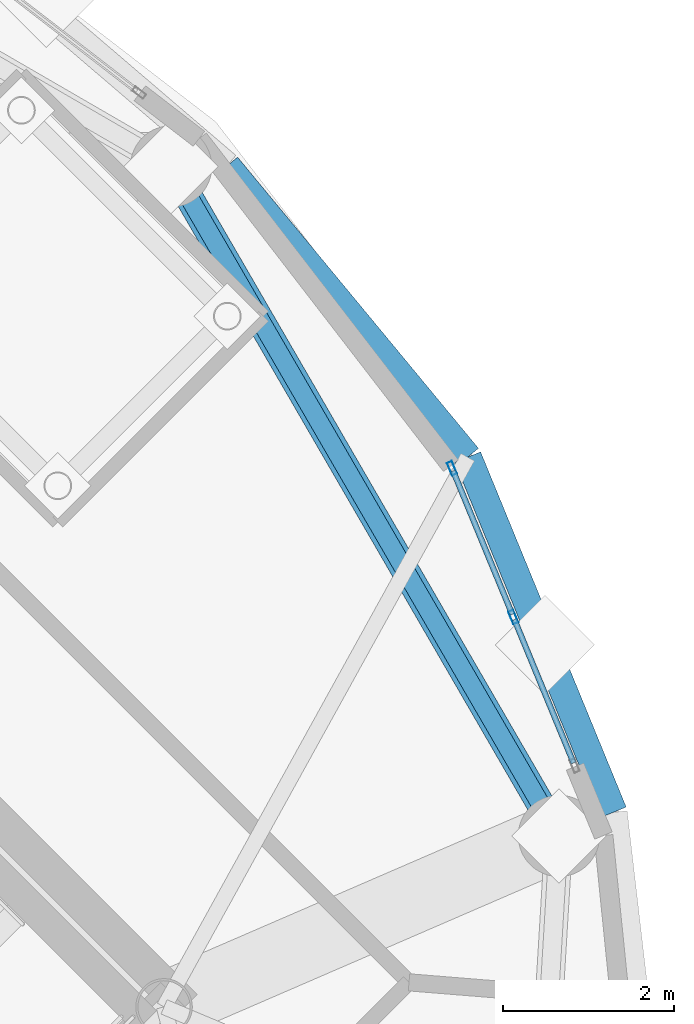
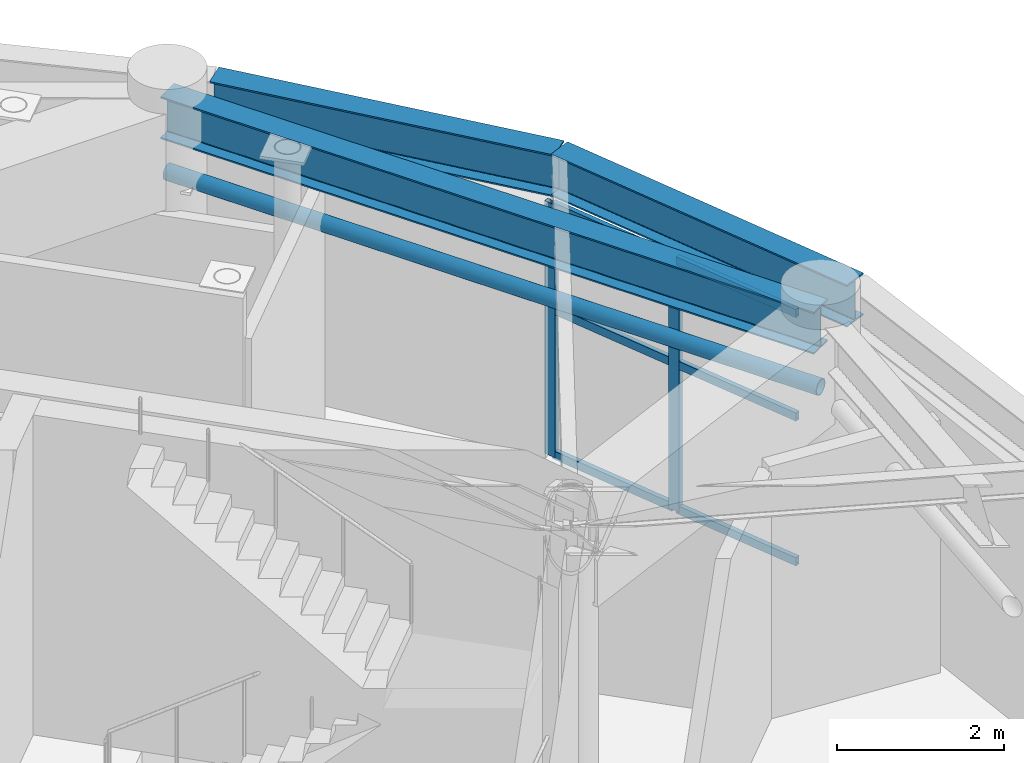
# One storey, part 20 of 28: 9 members, 3 beams, 1 element without a shape of its own.
"""IFC4 building model written with IfcOpenShell, lengths in metres."""

import ifcopenshell
import ifcopenshell.guid

model = None  # the IFC model being written
_history = None  # IfcOwnerHistory: only IFC2X3 demands one
_inside = {}  # id of a spatial element -> (the spatial element, [elements in it])
_under = {}  # id of a project, library or spatial element -> (it, [spatial elements below it])
_declared = {}  # id of a project -> (the project, [libraries it declares])
_typed = {}  # id of a type object -> (the type object, [elements of that type])
_made_of = {}  # id of a material, layer set ... -> (it, [elements and type objects made of it])


def new_model(schema):
    """Start an empty IFC model of exactly this schema.

    Asked for "IFC4X3", IfcOpenShell would pick the latest addendum, in which some entities
    have other attributes; the version numbers below select the first issue.
    IFC2X3 requires an IfcOwnerHistory on every rooted entity: one is made here for all.
    """
    global model, _history
    if schema == "IFC4X3":
        model = ifcopenshell.file(schema_version=(4, 3, 0, 0))
    else:
        model = ifcopenshell.file(schema=schema)
    _inside.clear()
    _under.clear()
    _declared.clear()
    _typed.clear()
    _made_of.clear()
    _history = None
    if model.schema == "IFC2X3":
        org = make("IfcOrganization", Name="unknown")
        user = make(
            "IfcPersonAndOrganization",
            ThePerson=make("IfcPerson", FamilyName="unknown"),
            TheOrganization=org,
        )
        app = make(
            "IfcApplication",
            ApplicationDeveloper=org,
            Version="unknown",
            ApplicationFullName="unknown",
            ApplicationIdentifier="unknown",
        )
        _history = make(
            "IfcOwnerHistory",
            OwningUser=user,
            OwningApplication=app,
            ChangeAction="ADDED",
            CreationDate=0,
        )
    return model


def make(cls, **values):
    """One entity of the class cls with the attributes given. An attribute that is None is left unset."""
    return model.create_entity(
        cls, **{name: value for name, value in values.items() if value is not None}
    )


def rooted(cls, **values):
    """An entity with a GlobalId (a new one), such as an element, a storey or a relation."""
    return make(cls, GlobalId=ifcopenshell.guid.new(), OwnerHistory=_history, **values)


def si_unit(unit_type, name, prefix=None):
    """IfcSIUnit, for example si_unit("LENGTHUNIT", "METRE", prefix="MILLI")."""
    return make("IfcSIUnit", UnitType=unit_type, Prefix=prefix, Name=name)


def assignment(units):
    """IfcUnitAssignment: the units of a project."""
    return None if units is None else make("IfcUnitAssignment", Units=units)


def point(xyz):
    """IfcCartesianPoint."""
    return None if xyz is None else make("IfcCartesianPoint", Coordinates=xyz)


def direction(xyz):
    """IfcDirection."""
    return None if xyz is None else make("IfcDirection", DirectionRatios=xyz)


def frame(location, z_axis=None, x_axis=None):
    """IfcAxis2Placement3D, a coordinate frame: its origin and axes. An axis left out is left unset."""
    return make(
        "IfcAxis2Placement3D",
        Location=point(location),
        Axis=direction(z_axis),
        RefDirection=direction(x_axis),
    )


def frame_2d(location, x_axis=None):
    """IfcAxis2Placement2D, a coordinate frame in the plane: its origin and x axis."""
    return make(
        "IfcAxis2Placement2D", Location=point(location), RefDirection=direction(x_axis)
    )


def origin():
    """The frame at (0, 0, 0) with its axes left unset."""
    return frame((0.0, 0.0, 0.0))


def origin_2d():
    """The frame at (0, 0) in the plane with its x axis left unset."""
    return frame_2d((0.0, 0.0))


def place(relative_to, where):
    """IfcLocalPlacement: puts the frame where relative to a parent placement (None: the world)."""
    return make(
        "IfcLocalPlacement", PlacementRelTo=relative_to, RelativePlacement=where
    )


def context(
    kind, dimensions, precision=None, world=None, true_north=None, identifier=None
):
    """IfcGeometricRepresentationContext, for example the 3D "Model" context."""
    return make(
        "IfcGeometricRepresentationContext",
        ContextIdentifier=identifier,
        ContextType=kind,
        CoordinateSpaceDimension=dimensions,
        Precision=precision,
        WorldCoordinateSystem=world,
        TrueNorth=true_north,
    )


def subcontext(parent, identifier, kind, view, scale=None):
    """IfcGeometricRepresentationSubContext, for example "Body" below "Model"."""
    return make(
        "IfcGeometricRepresentationSubContext",
        ContextIdentifier=identifier,
        ContextType=kind,
        ParentContext=parent,
        TargetScale=scale,
        TargetView=view,
    )


def project(units=None, contexts=None):
    """IfcProject with its units and contexts."""
    return rooted(
        "IfcProject",
        Name="project",
        RepresentationContexts=contexts,
        UnitsInContext=assignment(units),
    )


def spatial(cls, under=None, at=None, **own):
    """A site, building, storey or space (cls), placed at a placement, below another one or the project."""
    s = rooted(cls, ObjectPlacement=at, **own)
    if under is not None:
        _under.setdefault(under.id(), (under, []))[1].append(s)
    return s


def profile(cls, at=None, kind="AREA", **sizes):
    """A parametric profile (cls). Its sizes go by their IFC names, for example OverallWidth=200.0."""
    return make(cls, ProfileType=kind, Position=at, **sizes)


def hollow_rectangle(**sizes):
    """IfcRectangleHollowProfileDef."""
    return profile("IfcRectangleHollowProfileDef", **sizes)


def hollow_circle(**sizes):
    """IfcCircleHollowProfileDef."""
    return profile("IfcCircleHollowProfileDef", **sizes)


def i_section(**sizes):
    """IfcIShapeProfileDef."""
    return profile("IfcIShapeProfileDef", **sizes)


def extrude(swept, where, along, depth):
    """IfcExtrudedAreaSolid: the profile swept, set in the frame where, extruded along a direction by depth."""
    return make(
        "IfcExtrudedAreaSolid",
        SweptArea=swept,
        Position=where,
        ExtrudedDirection=direction(along),
        Depth=depth,
    )


def shape(context_of_items, identifier, shape_type, items):
    """IfcShapeRepresentation: the items that make up one representation, for example the "Body"."""
    return make(
        "IfcShapeRepresentation",
        ContextOfItems=context_of_items,
        RepresentationIdentifier=identifier,
        RepresentationType=shape_type,
        Items=items,
    )


def material(Name=None, Category=None):
    """IfcMaterial."""
    return make("IfcMaterial", Name=Name, Category=Category)


def layer(
    of_material, thickness, ventilated=None, Name=None, Category=None, Priority=None
):
    """IfcMaterialLayer: one layer of a wall or slab, of a material (None: an air gap)."""
    return make(
        "IfcMaterialLayer",
        Material=of_material,
        LayerThickness=thickness,
        IsVentilated=ventilated,
        Name=Name,
        Category=Category,
        Priority=Priority,
    )


def layer_set(layers, Name=None):
    """IfcMaterialLayerSet."""
    return make("IfcMaterialLayerSet", MaterialLayers=layers, LayerSetName=Name)


def material_profile(
    of_material, cross_section, Name=None, Category=None, Priority=None
):
    """IfcMaterialProfile: a cross section and its material."""
    return make(
        "IfcMaterialProfile",
        Name=Name,
        Material=of_material,
        Profile=cross_section,
        Priority=Priority,
        Category=Category,
    )


def profile_set(profiles, Name=None, composite=None):
    """IfcMaterialProfileSet."""
    return make(
        "IfcMaterialProfileSet",
        Name=Name,
        MaterialProfiles=profiles,
        CompositeProfile=composite,
    )


def made_of(thing, what):
    """Note that an element or type object is made of a material, layer set ...; save() writes the relation."""
    if what is not None:
        _made_of.setdefault(what.id(), (what, []))[1].append(thing)
    return thing


def type_object(cls, material=None, **own):
    """A type object (cls), such as IfcWallType, which elements share."""
    return made_of(rooted(cls, **own), material)


def element(
    cls,
    number,
    at=None,
    inside=None,
    cuts=None,
    type_object=None,
    material=None,
    context=None,
    identifier="Body",
    shape_type=None,
    held_by="IfcProductDefinitionShape",
    body=None,
    shapes=None,
    **own,
):
    """One element of the class cls, such as IfcWall. Its Tag is "e" and its number.

    at: its placement. inside: the storey or other place that contains it. cuts: it is an
    opening in that element (IfcRelVoidsElement). A single representation is given by context,
    identifier, shape_type and body (its items); several are given by shapes. held_by: the class
    of the entity that holds the representations. save() writes the other relations.
    """
    e = rooted(cls, Tag="e%d" % number, ObjectPlacement=at, **own)
    if body is not None:
        shapes = [shape(context, identifier, shape_type, body)]
    if shapes is not None:
        e.Representation = make(held_by, Representations=shapes)
    if inside is not None:
        _inside.setdefault(inside.id(), (inside, []))[1].append(e)
    if cuts is not None:
        rooted(
            "IfcRelVoidsElement", RelatingBuildingElement=cuts, RelatedOpeningElement=e
        )
    if type_object is not None:
        _typed.setdefault(type_object.id(), (type_object, []))[1].append(e)
    return made_of(e, material)


def aggregate(whole, parts):
    """IfcRelAggregates: a whole, such as a stair, and the parts it consists of."""
    return rooted("IfcRelAggregates", RelatingObject=whole, RelatedObjects=parts)


def save(model, path):
    """Write the relations noted so far, then the file.

    IfcRelAggregates (storeys below a building ...), IfcRelContainedInSpatialStructure (elements
    in a storey), IfcRelDefinesByType, IfcRelAssociatesMaterial and IfcRelDeclares: one each for
    every whole, place, type object, material and project.
    """
    for whole, parts in _under.values():
        aggregate(whole, parts)
    for where, things in _inside.values():
        rooted(
            "IfcRelContainedInSpatialStructure",
            RelatedElements=things,
            RelatingStructure=where,
        )
    for kind, things in _typed.values():
        rooted("IfcRelDefinesByType", RelatedObjects=things, RelatingType=kind)
    for what, things in _made_of.values():
        rooted("IfcRelAssociatesMaterial", RelatedObjects=things, RelatingMaterial=what)
    for by, libraries in _declared.values():
        rooted("IfcRelDeclares", RelatingContext=by, RelatedDefinitions=libraries)
    model.write(path)


model = new_model("IFC4")

# Units and contexts
model_context = context("Model", 3, precision=1e-05, world=origin(), true_north=direction((0.0, 1.0)))
body_context = subcontext(model_context, "Body", "Model", "MODEL_VIEW")
ifc_project = project(units=[si_unit("LENGTHUNIT", "METRE"), si_unit("AREAUNIT", "SQUARE_METRE"), si_unit("VOLUMEUNIT", "CUBIC_METRE"), si_unit("PLANEANGLEUNIT", "RADIAN"), si_unit("MASSUNIT", "GRAM", prefix="KILO")], contexts=[model_context])

# Site, building, storey
site_placement = place(None, origin())
site = spatial("IfcSite", under=ifc_project, at=site_placement, CompositionType="ELEMENT")
building_placement = place(site_placement, origin())
building = spatial("IfcBuilding", under=site, at=building_placement, Name="Cununo Teusaquillo Station Towers", CompositionType="ELEMENT")
storey_placement = place(building_placement, frame((0.0, 0.0, 235.64990234375)))
storey = spatial("IfcBuildingStorey", under=building, at=storey_placement, Name="L75", CompositionType="ELEMENT", Elevation=235.64990234375)

# Beams
ifc_material_1 = material(Name="Steel ASTM A572 Grade 50", Category="steel")
ifc_material_profile_1 = material_profile(ifc_material_1, i_section(OverallWidth=0.324951171875, OverallDepth=0.615966796875, WebThickness=0.013916015625, FlangeThickness=0.021484375, FilletRadius=0.01611328125, at=origin_2d()), Name="W24X117")
ifc_profile_set_1 = profile_set([ifc_material_profile_1], Name="Steel ASTM A572 Grade 50")
beam_type = type_object("IfcBeamType", Name="BM-PLNT-G2", PredefinedType="BEAM", material=ifc_profile_set_1)
beam_1_placement = place(storey_placement, frame((70.63525390625, 25.291015625, 4.031982421875), z_axis=(-0.501311121078, 0.865267103202, 0.0), x_axis=(-0.865267103202, -0.501311121078, 0.0)))
element("IfcBeam", 1, at=beam_1_placement, inside=storey, type_object=beam_type, Name="L75 Tower B Structural Column Ring Girder 10", PredefinedType="BEAM", context=body_context, shape_type="SweptSolid", body=[
    extrude(i_section(OverallWidth=0.324951171875, OverallDepth=0.615966796875, WebThickness=0.013916015625, FlangeThickness=0.021484375, FilletRadius=0.01611328125, at=origin_2d()), origin(), (0.0, 0.0, 1.0), 9.032958984375),
])
beam_2_placement = place(storey_placement, frame((71.27001953125, 25.56591796875, 4.031982421875), z_axis=(-0.379275405388, 0.925283830437, 0.0), x_axis=(-0.925283830437, -0.379275405388, 0.0)))
element("IfcBeam", 2, at=beam_2_placement, inside=storey, type_object=beam_type, Name="L75 Tower B Spandrel Ring Beam 19", PredefinedType="BEAM", context=body_context, shape_type="SweptSolid", body=[
    extrude(i_section(OverallWidth=0.324951171875, OverallDepth=0.615966796875, WebThickness=0.013916015625, FlangeThickness=0.021484375, FilletRadius=0.01611328125, at=origin_2d()), origin(), (0.0, 0.0, 1.0), 4.482177734375),
])
beam_3_placement = place(storey_placement, frame((69.570068359375, 29.713134765625, 4.031982421875), z_axis=(-0.637524682095, 0.770429931739, 0.0), x_axis=(-0.770429931739, -0.637524682095, 0.0)))
element("IfcBeam", 3, at=beam_3_placement, inside=storey, type_object=beam_type, Name="L75 Tower B Spandrel Ring Beam 20", PredefinedType="BEAM", context=body_context, shape_type="SweptSolid", body=[
    extrude(i_section(OverallWidth=0.324951171875, OverallDepth=0.615966796875, WebThickness=0.013916015625, FlangeThickness=0.021484375, FilletRadius=0.01611328125, at=origin_2d()), origin(), (0.0, 0.0, 1.0), 4.412353515625),
])

# Curtain wall, members
ifc_material_2 = material(Name="Ceramic-fritted dark low-E double glazing", Category="glass")
ifc_layer = layer(ifc_material_2, 0.179931640625)
ifc_layer_set = layer_set([ifc_layer], Name="Ceramic-fritted dark low-E double glazing")
curtain_wall_type = type_object("IfcCurtainWallType", Name="CW-SYS-08", PredefinedType="USERDEFINED", material=ifc_layer_set)
curtain_wall_placement = place(storey_placement, origin())
curtain_wall = element("IfcCurtainWall", 4, at=curtain_wall_placement, inside=storey, type_object=curtain_wall_type, Name="L75 Tower B Crown Drum Glazed Screen C18", ObjectType="FRITTED GLAZING", PredefinedType="USERDEFINED")
ifc_material_3 = material(Name="Anodised dark bronze aluminium EN AW-6063-T6", Category="aluminium")
ifc_material_profile_2 = material_profile(ifc_material_3, hollow_rectangle(XDim=0.06494140625, YDim=0.159912109375, WallThickness=0.00390625, at=origin_2d()), Name="CW-MULL-65x160")
ifc_profile_set_2 = profile_set([ifc_material_profile_2], Name="Anodised dark bronze aluminium EN AW-6063-T6")
member_type_1 = type_object("IfcMemberType", Name="CWM-160", PredefinedType="MULLION", material=ifc_profile_set_2)
member_1_placement = place(storey_placement, frame((69.38623046875, 29.583251953125, 0.0), z_axis=(0.0, 0.0, 1.0), x_axis=(0.924447019904, 0.381310513086, 0.0)))
member_1 = element("IfcMember", 5, at=member_1_placement, type_object=member_type_1, Name="CW-08 mullion 1", PredefinedType="MULLION", context=body_context, shape_type="SweptSolid", body=[
    extrude(hollow_rectangle(XDim=0.06494140625, YDim=0.159912109375, WallThickness=0.00390625, at=origin_2d()), origin(), (0.0, 0.0, 1.0), 3.696044921875),
])
member_2_placement = place(storey_placement, frame((70.102294921875, 27.84716796875, 0.0), z_axis=(0.0, 0.0, 1.0), x_axis=(0.924447019904, 0.381310513086, 0.0)))
member_2 = element("IfcMember", 6, at=member_2_placement, type_object=member_type_1, Name="CW-08 mullion 2", PredefinedType="MULLION", context=body_context, shape_type="SweptSolid", body=[
    extrude(hollow_rectangle(XDim=0.06494140625, YDim=0.159912109375, WallThickness=0.00390625, at=origin_2d()), origin(), (0.0, 0.0, 1.0), 3.696044921875),
])
ifc_material_4 = material(Name="Anodised dark bronze aluminium EN AW-6063-T6", Category="aluminium")
ifc_material_profile_3 = material_profile(ifc_material_4, hollow_rectangle(XDim=0.06494140625, YDim=0.1201171875, WallThickness=0.00390625, at=origin_2d()), Name="CW-TRAN-65x120")
ifc_profile_set_3 = profile_set([ifc_material_profile_3], Name="Anodised dark bronze aluminium EN AW-6063-T6")
member_type_2 = type_object("IfcMemberType", Name="CWT-120", PredefinedType="USERDEFINED", material=ifc_profile_set_3)
member_3_placement = place(storey_placement, frame((69.398681640625, 29.55322265625, 0.03271484375), z_axis=(0.381237415932, -0.92447716721, 0.0), x_axis=(0.92447716721, 0.381237415932, 0.0)))
member_3 = element("IfcMember", 7, at=member_3_placement, type_object=member_type_2, Name="CW-08 transom 1.1", ObjectType="TRANSOM", PredefinedType="USERDEFINED", context=body_context, shape_type="SweptSolid", body=[
    extrude(hollow_rectangle(XDim=0.06494140625, YDim=0.1201171875, WallThickness=0.00390625, at=origin_2d()), origin(), (0.0, 0.0, 1.0), 1.81298828125),
])
member_4_placement = place(storey_placement, frame((69.398681640625, 29.55322265625, 2.150146484375), z_axis=(0.381237415932, -0.92447716721, 0.0), x_axis=(0.92447716721, 0.381237415932, 0.0)))
member_4 = element("IfcMember", 8, at=member_4_placement, type_object=member_type_2, Name="CW-08 transom 1.2", ObjectType="TRANSOM", PredefinedType="USERDEFINED", context=body_context, shape_type="SweptSolid", body=[
    extrude(hollow_rectangle(XDim=0.06494140625, YDim=0.1201171875, WallThickness=0.00390625, at=origin_2d()), origin(), (0.0, 0.0, 1.0), 1.81298828125),
])
member_5_placement = place(storey_placement, frame((69.398681640625, 29.55322265625, 3.66357421875), z_axis=(0.381237415932, -0.92447716721, 0.0), x_axis=(0.92447716721, 0.381237415932, 0.0)))
member_5 = element("IfcMember", 9, at=member_5_placement, type_object=member_type_2, Name="CW-08 transom 1.3", ObjectType="TRANSOM", PredefinedType="USERDEFINED", context=body_context, shape_type="SweptSolid", body=[
    extrude(hollow_rectangle(XDim=0.06494140625, YDim=0.1201171875, WallThickness=0.00390625, at=origin_2d()), origin(), (0.0, 0.0, 1.0), 1.81298828125),
])
member_6_placement = place(storey_placement, frame((70.11474609375, 27.817138671875, 0.03271484375), z_axis=(0.381284883483, -0.924457591038, 0.0), x_axis=(0.924457591038, 0.381284883483, 0.0)))
member_6 = element("IfcMember", 10, at=member_6_placement, type_object=member_type_2, Name="CW-08 transom 2.1", ObjectType="TRANSOM", PredefinedType="USERDEFINED", context=body_context, shape_type="SweptSolid", body=[
    extrude(hollow_rectangle(XDim=0.06494140625, YDim=0.1201171875, WallThickness=0.00390625, at=origin_2d()), origin(), (0.0, 0.0, 1.0), 1.812744140625),
])
member_7_placement = place(storey_placement, frame((70.11474609375, 27.817138671875, 2.150146484375), z_axis=(0.381284883483, -0.924457591038, 0.0), x_axis=(0.924457591038, 0.381284883483, 0.0)))
member_7 = element("IfcMember", 11, at=member_7_placement, type_object=member_type_2, Name="CW-08 transom 2.2", ObjectType="TRANSOM", PredefinedType="USERDEFINED", context=body_context, shape_type="SweptSolid", body=[
    extrude(hollow_rectangle(XDim=0.06494140625, YDim=0.1201171875, WallThickness=0.00390625, at=origin_2d()), origin(), (0.0, 0.0, 1.0), 1.812744140625),
])
member_8_placement = place(storey_placement, frame((70.11474609375, 27.817138671875, 3.66357421875), z_axis=(0.381284883483, -0.924457591038, 0.0), x_axis=(0.924457591038, 0.381284883483, 0.0)))
member_8 = element("IfcMember", 12, at=member_8_placement, type_object=member_type_2, Name="CW-08 transom 2.3", ObjectType="TRANSOM", PredefinedType="USERDEFINED", context=body_context, shape_type="SweptSolid", body=[
    extrude(hollow_rectangle(XDim=0.06494140625, YDim=0.1201171875, WallThickness=0.00390625, at=origin_2d()), origin(), (0.0, 0.0, 1.0), 1.812744140625),
])
aggregate(curtain_wall, [member_1, member_2, member_3, member_4, member_5, member_6, member_7, member_8])

# Member
ifc_material_5 = material(Name="Steel EN 10025-2 S355J2", Category="steel")
ifc_material_profile_4 = material_profile(ifc_material_5, hollow_circle(Radius=0.109619140625, WallThickness=0.010009765625, at=origin_2d()), Name="CHS 219x10")
ifc_profile_set_4 = profile_set([ifc_material_profile_4], Name="Steel EN 10025-2 S355J2")
member_type_3 = type_object("IfcMemberType", Name="MBR-DRUM-COL", PredefinedType="COLLAR", material=ifc_profile_set_4)
member_9_placement = place(storey_placement, frame((70.63525390625, 25.291015625, 3.150146484375), z_axis=(-0.501311121078, 0.865267103202, 0.0), x_axis=(-0.865267103202, -0.501311121078, 0.0)))
element("IfcMember", 13, at=member_9_placement, inside=storey, type_object=member_type_3, Name="L75 Tower B Crown Drum Collar 10", PredefinedType="COLLAR", context=body_context, shape_type="SweptSolid", body=[
    extrude(hollow_circle(Radius=0.109619140625, WallThickness=0.010009765625, at=origin_2d()), origin(), (0.0, 0.0, 1.0), 9.032958984375),
])

save(model, "model.ifc")
